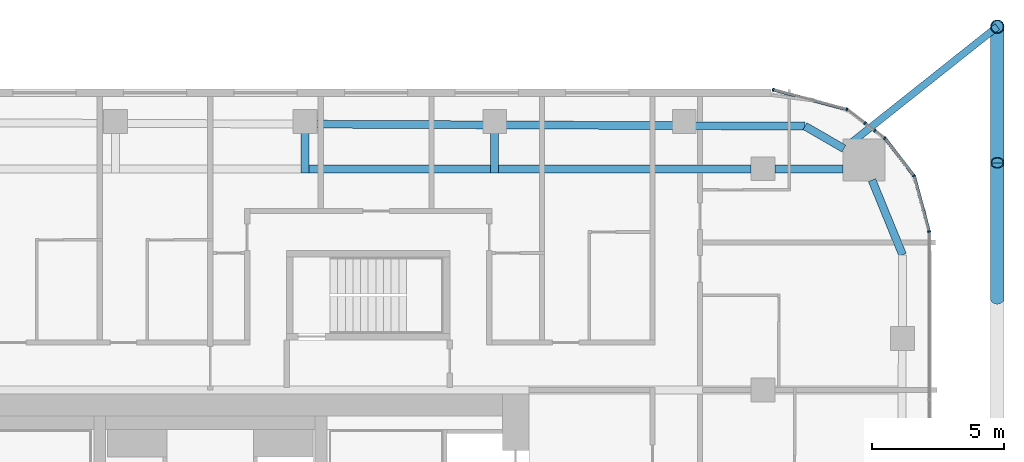
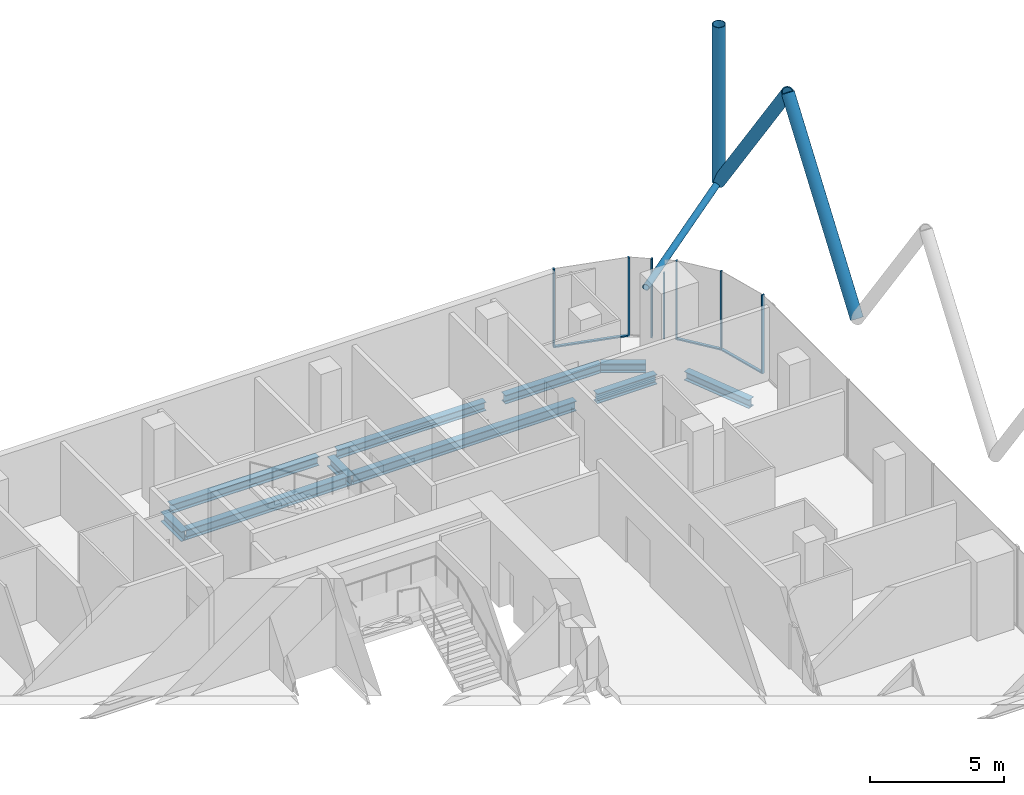
# One storey, part 14 of 33: 14 members, 10 beams, 6 elements without a shape of their own.
"""IFC4 building model written with IfcOpenShell, lengths in metres."""

from ifc_helpers import new_model, si_unit, direction, frame, origin, origin_2d, place, context, subcontext, project, spatial, rectangle, hollow_circle, i_section, extrude, material, layer, layer_set, material_profile, profile_set, type_object, element, aggregate, save


model = new_model("IFC4")

# Units and contexts
model_context = context("Model", 3, precision=1e-05, world=origin(), true_north=direction((0.0, 1.0)))
body_context = subcontext(model_context, "Body", "Model", "MODEL_VIEW")
ifc_project = project(units=[si_unit("LENGTHUNIT", "METRE"), si_unit("AREAUNIT", "SQUARE_METRE"), si_unit("VOLUMEUNIT", "CUBIC_METRE"), si_unit("PLANEANGLEUNIT", "RADIAN"), si_unit("MASSUNIT", "GRAM", prefix="KILO")], contexts=[model_context])

# Site, building, storey
site_placement = place(None, origin())
site = spatial("IfcSite", under=ifc_project, at=site_placement, CompositionType="ELEMENT")
building_placement = place(site_placement, origin())
building = spatial("IfcBuilding", under=site, at=building_placement, Name="Marenta Gate Hotel Tower", CompositionType="ELEMENT")
storey_placement = place(building_placement, frame((0.0, 0.0, 122.89990234375)))
storey = spatial("IfcBuildingStorey", under=building, at=storey_placement, Name="L27", CompositionType="ELEMENT", Elevation=122.89990234375)

# Members
ifc_material_1 = material(Name="Steel S355J2W", Category="steel")
ifc_material_profile_1 = material_profile(ifc_material_1, hollow_circle(Radius=0.25390625, WallThickness=0.02490234375, at=origin_2d()), Name="CHS 508x25")
ifc_profile_set_1 = profile_set([ifc_material_profile_1], Name="Steel S355J2W")
member_type_1 = type_object("IfcMemberType", Name="Diagrid corner post Z2 CHS 508x25", PredefinedType="POST", material=ifc_profile_set_1)
member_1_placement = place(storey_placement, frame((29.89990234375, 30.60009765625, 3.14013671875), z_axis=(0.0, 0.0, 1.0), x_axis=(1.0, 0.0, 0.0)))
element("IfcMember", 1, at=member_1_placement, inside=storey, type_object=member_type_1, Name="L27-DR-1", PredefinedType="POST", context=body_context, shape_type="SweptSolid", body=[
    extrude(hollow_circle(Radius=0.25390625, WallThickness=0.02490234375, at=origin_2d()), origin(), (0.0, 0.0, 1.0), 7.199951171875),
])
ifc_material_2 = material(Name="Steel S355J2W", Category="steel")
ifc_material_profile_2 = material_profile(ifc_material_2, hollow_circle(Radius=0.25390625, WallThickness=0.0400390625, at=origin_2d()), Name="CHS 508x40")
ifc_profile_set_2 = profile_set([ifc_material_profile_2], Name="Steel S355J2W")
member_type_2 = type_object("IfcMemberType", Name="Diagrid diagonal Z2 CHS 508x40", PredefinedType="BRACE", material=ifc_profile_set_2)
member_2_placement = place(storey_placement, frame((29.89990234375, 30.60009765625, 3.14013671875), z_axis=(0.0, -0.583279014058, 0.812271870595), x_axis=(1.0, 0.0, 0.0)))
element("IfcMember", 2, at=member_2_placement, inside=storey, type_object=member_type_2, Name="L27-DG-1", PredefinedType="BRACE", context=body_context, shape_type="SweptSolid", body=[
    extrude(hollow_circle(Radius=0.25390625, WallThickness=0.0400390625, at=origin_2d()), origin(), (0.0, 0.0, 1.0), 8.864013671875),
])
member_3_placement = place(storey_placement, frame((29.89990234375, 20.260009765625, 3.14013671875), z_axis=(0.0, 0.583260841117, 0.812284919975), x_axis=(-1.0, 0.0, 0.0)))
element("IfcMember", 3, at=member_3_placement, inside=storey, type_object=member_type_2, Name="L27-DG-2", PredefinedType="BRACE", context=body_context, shape_type="SweptSolid", body=[
    extrude(hollow_circle(Radius=0.25390625, WallThickness=0.0400390625, at=origin_2d()), origin(), (0.0, 0.0, 1.0), 8.86376953125),
])

# Beams
ifc_material_3 = material(Name="Steel S355", Category="steel")
ifc_material_profile_3 = material_profile(ifc_material_3, i_section(OverallWidth=0.300048828125, OverallDepth=0.39990234375, WebThickness=0.013427734375, FlangeThickness=0.02392578125, FilletRadius=0.027099609375, at=origin_2d()), Name="HEB 400")
ifc_profile_set_3 = profile_set([ifc_material_profile_3], Name="Steel S355")
beam_type_1 = type_object("IfcBeamType", Name="Edge beam HEB 400", PredefinedType="SPANDREL", material=ifc_profile_set_3)
beam_1_placement = place(storey_placement, frame((4.011474609375, 26.89697265625, -0.4599609375), z_axis=(0.999991780119, -0.004054589324, 0.0), x_axis=(0.004054589324, 0.999991780119, 0.0)))
element("IfcBeam", 4, at=beam_1_placement, inside=storey, type_object=beam_type_1, Name="L27-EB-17", PredefinedType="SPANDREL", context=body_context, shape_type="SweptSolid", body=[
    extrude(i_section(OverallWidth=0.300048828125, OverallDepth=0.39990234375, WebThickness=0.013427734375, FlangeThickness=0.02392578125, FilletRadius=0.027099609375, at=origin_2d()), origin(), (0.0, 0.0, 1.0), 6.382568359375),
])
beam_2_placement = place(storey_placement, frame((11.214111328125, 26.86767578125, -0.4599609375), z_axis=(0.999991780748, -0.00405443424, 0.0), x_axis=(0.00405443424, 0.999991780748, 0.0)))
element("IfcBeam", 5, at=beam_2_placement, inside=storey, type_object=beam_type_1, Name="L27-EB-18", PredefinedType="SPANDREL", context=body_context, shape_type="SweptSolid", body=[
    extrude(i_section(OverallWidth=0.300048828125, OverallDepth=0.39990234375, WebThickness=0.013427734375, FlangeThickness=0.02392578125, FilletRadius=0.027099609375, at=origin_2d()), origin(), (0.0, 0.0, 1.0), 6.3828125),
])
beam_3_placement = place(storey_placement, frame((18.4169921875, 26.83837890625, -0.4599609375), z_axis=(0.999991621459, -0.004093532953, 0.0), x_axis=(0.004093532953, 0.999991621459, 0.0)))
element("IfcBeam", 6, at=beam_3_placement, inside=storey, type_object=beam_type_1, Name="L27-EB-19", PredefinedType="SPANDREL", context=body_context, shape_type="SweptSolid", body=[
    extrude(i_section(OverallWidth=0.300048828125, OverallDepth=0.39990234375, WebThickness=0.013427734375, FlangeThickness=0.02392578125, FilletRadius=0.027099609375, at=origin_2d()), origin(), (0.0, 0.0, 1.0), 4.1748046875),
])
beam_4_placement = place(storey_placement, frame((22.591796875, 26.8212890625, -0.4599609375), z_axis=(0.866016478054, -0.500015459501, 0.0), x_axis=(0.500015459501, 0.866016478054, 0.0)))
element("IfcBeam", 7, at=beam_4_placement, inside=storey, type_object=beam_type_1, Name="L27-EB-20", PredefinedType="SPANDREL", context=body_context, shape_type="SweptSolid", body=[
    extrude(i_section(OverallWidth=0.300048828125, OverallDepth=0.39990234375, WebThickness=0.013427734375, FlangeThickness=0.02392578125, FilletRadius=0.027099609375, at=origin_2d()), origin(), (0.0, 0.0, 1.0), 1.70703125),
])
beam_5_placement = place(storey_placement, frame((25.138916015625, 24.7724609375, -0.4599609375), z_axis=(0.378682450416, -0.925526661824, 0.0), x_axis=(0.925526661824, 0.378682450416, 0.0)))
element("IfcBeam", 8, at=beam_5_placement, inside=storey, type_object=beam_type_1, Name="L27-EB-21", PredefinedType="SPANDREL", context=body_context, shape_type="SweptSolid", body=[
    extrude(i_section(OverallWidth=0.300048828125, OverallDepth=0.39990234375, WebThickness=0.013427734375, FlangeThickness=0.02392578125, FilletRadius=0.027099609375, at=origin_2d()), origin(), (0.0, 0.0, 1.0), 3.066162109375),
])

# Member
ifc_material_4 = material(Name="Steel S355J2W", Category="steel")
ifc_material_profile_4 = material_profile(ifc_material_4, hollow_circle(Radius=0.136474609375, WallThickness=0.012451171875, at=origin_2d()), Name="CHS 273x12.5")
ifc_profile_set_4 = profile_set([ifc_material_profile_4], Name="Steel S355J2W")
member_type_3 = type_object("IfcMemberType", Name="Floor tie CHS 273x12.5", PredefinedType="STRUT", material=ifc_profile_set_4)
member_4_placement = place(storey_placement, frame((29.89990234375, 30.60009765625, 3.14013671875), z_axis=(-0.782942525187, -0.622094046149, 0.0), x_axis=(0.622094046149, -0.782942525187, 0.0)))
element("IfcMember", 9, at=member_4_placement, inside=storey, type_object=member_type_3, Name="L27-DR-7", PredefinedType="STRUT", context=body_context, shape_type="SweptSolid", body=[
    extrude(hollow_circle(Radius=0.136474609375, WallThickness=0.012451171875, at=origin_2d()), origin(), (0.0, 0.0, 1.0), 7.43896484375),
])

# Beams
ifc_material_5 = material(Name="Steel S355", Category="steel")
ifc_material_profile_5 = material_profile(ifc_material_5, i_section(OverallWidth=0.300048828125, OverallDepth=0.449951171875, WebThickness=0.013916015625, FlangeThickness=0.02587890625, FilletRadius=0.027099609375, at=origin_2d()), Name="HEB 450")
ifc_profile_set_5 = profile_set([ifc_material_profile_5], Name="Steel S355")
beam_type_2 = type_object("IfcBeamType", Name="Girder HEB 450", PredefinedType="BEAM", material=ifc_profile_set_5)
beam_6_placement = place(storey_placement, frame((3.75146484375, 25.199951171875, -0.48486328125), z_axis=(1.0, 0.0, 0.0), x_axis=(0.0, 1.0, 0.0)))
element("IfcBeam", 10, at=beam_6_placement, inside=storey, type_object=beam_type_2, Name="L27-GD-33", PredefinedType="BEAM", context=body_context, shape_type="SweptSolid", body=[
    extrude(i_section(OverallWidth=0.300048828125, OverallDepth=0.449951171875, WebThickness=0.013916015625, FlangeThickness=0.02587890625, FilletRadius=0.027099609375, at=origin_2d()), origin(), (0.0, 0.0, 1.0), 6.902587890625),
])
beam_7_placement = place(storey_placement, frame((10.9541015625, 25.199951171875, -0.48486328125), z_axis=(1.0, 0.0, 0.0), x_axis=(0.0, 1.0, 0.0)))
element("IfcBeam", 11, at=beam_7_placement, inside=storey, type_object=beam_type_2, Name="L27-GD-34", PredefinedType="BEAM", context=body_context, shape_type="SweptSolid", body=[
    extrude(i_section(OverallWidth=0.300048828125, OverallDepth=0.449951171875, WebThickness=0.013916015625, FlangeThickness=0.02587890625, FilletRadius=0.027099609375, at=origin_2d()), origin(), (0.0, 0.0, 1.0), 9.595947265625),
])
beam_8_placement = place(storey_placement, frame((21.449951171875, 25.199951171875, -0.48486328125), z_axis=(1.0, 0.0, 0.0), x_axis=(0.0, 1.0, 0.0)))
element("IfcBeam", 12, at=beam_8_placement, inside=storey, type_object=beam_type_2, Name="L27-GD-35", PredefinedType="BEAM", context=body_context, shape_type="SweptSolid", body=[
    extrude(i_section(OverallWidth=0.300048828125, OverallDepth=0.449951171875, WebThickness=0.013916015625, FlangeThickness=0.02587890625, FilletRadius=0.027099609375, at=origin_2d()), origin(), (0.0, 0.0, 1.0), 2.58544921875),
])
ifc_material_6 = material(Name="Steel S355", Category="steel")
ifc_material_profile_6 = material_profile(ifc_material_6, i_section(OverallWidth=0.300048828125, OverallDepth=0.449951171875, WebThickness=0.013916015625, FlangeThickness=0.02587890625, FilletRadius=0.027099609375, at=origin_2d()), Name="HEB 450")
ifc_profile_set_6 = profile_set([ifc_material_profile_6], Name="Steel S355")
beam_type_3 = type_object("IfcBeamType", Name="Girder bracket HEB 450", PredefinedType="BEAM", material=ifc_profile_set_6)
for number, where, z_axis, x_axis, name in (
    (13, (3.601318359375, 25.050048828125, -0.48486328125), (0.0, 1.0, 0.0), (-1.0, 0.0, 0.0), "L27-GS-3"),
    (14, (10.80419921875, 25.050048828125, -0.48486328125), (0.0, 1.0, 0.0), (-1.0, 0.0, 0.0), "L27-GS-4"),
):
    element("IfcBeam", number, at=place(storey_placement, frame(where, z_axis=z_axis, x_axis=x_axis)), inside=storey, type_object=beam_type_3, Name=name, PredefinedType="BEAM", context=body_context, shape_type="SweptSolid", body=[
        extrude(i_section(OverallWidth=0.300048828125, OverallDepth=0.449951171875, WebThickness=0.013916015625, FlangeThickness=0.02587890625, FilletRadius=0.027099609375, at=origin_2d()), origin(), (0.0, 0.0, 1.0), 1.5400390625),
    ])

# Curtain wall, member
ifc_material_7 = material(Name="Tinted insulated glass in bronze anodised frame", Category="glass")
ifc_layer = layer(ifc_material_7, 0.1201171875)
ifc_layer_set = layer_set([ifc_layer], Name="Tinted insulated glass in bronze anodised frame")
curtain_wall_type = type_object("IfcCurtainWallType", Name="Tower unitised curtain wall CW1", PredefinedType="NOTDEFINED", material=ifc_layer_set)
curtain_wall_1_placement = place(storey_placement, origin())
curtain_wall_1 = element("IfcCurtainWall", 15, at=curtain_wall_1_placement, inside=storey, type_object=curtain_wall_type, Name="CW1 run G20", PredefinedType="NOTDEFINED")
ifc_material_8 = material(Name="Bronze anodised aluminium", Category="aluminium")
ifc_material_profile_7 = material_profile(ifc_material_8, rectangle(XDim=0.1201171875, YDim=0.06005859375, at=origin_2d()), Name="Mullion CW1 60x120 bronze anodised aluminium")
ifc_profile_set_7 = profile_set([ifc_material_profile_7], Name="Bronze anodised aluminium")
member_type_4 = type_object("IfcMemberType", Name="Mullion CW1 60x120 bronze anodised aluminium", PredefinedType="MULLION", material=ifc_profile_set_7)
member_5_placement = place(storey_placement, frame((27.30615234375, 22.82080078125, 0.0), z_axis=(0.0, 0.0, 1.0), x_axis=(-0.965924859908, -0.258822651658, 0.0)))
member_5 = element("IfcMember", 16, at=member_5_placement, type_object=member_type_4, Name="CW1 mullion 1", PredefinedType="MULLION", context=body_context, shape_type="SweptSolid", body=[
    extrude(rectangle(XDim=0.1201171875, YDim=0.06005859375, at=origin_2d()), origin(), (0.0, 0.0, 1.0), 3.60009765625),
])

curtain_wall_2_placement = place(storey_placement, origin())
curtain_wall_2 = element("IfcCurtainWall", 17, at=curtain_wall_2_placement, inside=storey, type_object=curtain_wall_type, Name="CW1 run G21", PredefinedType="NOTDEFINED")
member_6_placement = place(storey_placement, frame((26.727783203125, 24.93505859375, 0.0), z_axis=(0.0, 0.0, 1.0), x_axis=(-0.793326722289, -0.608796116694, 0.0)))
member_6 = element("IfcMember", 18, at=member_6_placement, type_object=member_type_4, Name="CW1 mullion 1", PredefinedType="MULLION", context=body_context, shape_type="SweptSolid", body=[
    extrude(rectangle(XDim=0.1201171875, YDim=0.06005859375, at=origin_2d()), origin(), (0.0, 0.0, 1.0), 3.60009765625),
])

curtain_wall_3_placement = place(storey_placement, origin())
curtain_wall_3 = element("IfcCurtainWall", 19, at=curtain_wall_3_placement, inside=storey, type_object=curtain_wall_type, Name="CW1 run G22", PredefinedType="NOTDEFINED")
member_7_placement = place(storey_placement, frame((25.62158203125, 26.36376953125, 0.0), z_axis=(0.0, 0.0, 1.0), x_axis=(-0.608778467767, -0.793340265701, 0.0)))
member_7 = element("IfcMember", 20, at=member_7_placement, type_object=member_type_4, Name="CW1 mullion 1", PredefinedType="MULLION", context=body_context, shape_type="SweptSolid", body=[
    extrude(rectangle(XDim=0.1201171875, YDim=0.06005859375, at=origin_2d()), origin(), (0.0, 0.0, 1.0), 3.60009765625),
])
aggregate(curtain_wall_3, [member_7])

curtain_wall_4_placement = place(storey_placement, origin())
curtain_wall_4 = element("IfcCurtainWall", 21, at=curtain_wall_4_placement, inside=storey, type_object=curtain_wall_type, Name="CW1 run G23", PredefinedType="NOTDEFINED")
member_8_placement = place(storey_placement, frame((25.247314453125, 26.651123046875, 0.0), z_axis=(0.0, 0.0, 1.0), x_axis=(-0.608737274752, -0.79337187392, 0.0)))
member_8 = element("IfcMember", 22, at=member_8_placement, type_object=member_type_4, Name="CW1 mullion 1", PredefinedType="MULLION", context=body_context, shape_type="SweptSolid", body=[
    extrude(rectangle(XDim=0.1201171875, YDim=0.06005859375, at=origin_2d()), origin(), (0.0, 0.0, 1.0), 3.00048828125),
])
aggregate(curtain_wall_4, [member_8])

curtain_wall_5_placement = place(storey_placement, origin())
curtain_wall_5 = element("IfcCurtainWall", 23, at=curtain_wall_5_placement, inside=storey, type_object=curtain_wall_type, Name="CW1 run G24", PredefinedType="NOTDEFINED")
member_9_placement = place(storey_placement, frame((24.876953125, 26.935302734375, 0.0), z_axis=(0.0, 0.0, 1.0), x_axis=(-0.608837310591, -0.793295108539, 0.0)))
member_9 = element("IfcMember", 24, at=member_9_placement, type_object=member_type_4, Name="CW1 mullion 1", PredefinedType="MULLION", context=body_context, shape_type="SweptSolid", body=[
    extrude(rectangle(XDim=0.1201171875, YDim=0.06005859375, at=origin_2d()), origin(), (0.0, 0.0, 1.0), 3.60009765625),
])
aggregate(curtain_wall_5, [member_9])

# Curtain wall, members
curtain_wall_6_placement = place(storey_placement, origin())
curtain_wall_6 = element("IfcCurtainWall", 25, at=curtain_wall_6_placement, inside=storey, type_object=curtain_wall_type, Name="CW1 run G25", PredefinedType="NOTDEFINED")
member_10_placement = place(storey_placement, frame((24.182373046875, 27.453857421875, 0.0), z_axis=(0.0, 0.0, 1.0), x_axis=(-0.258805989975, -0.965929324305, 0.0)))
member_10 = element("IfcMember", 26, at=member_10_placement, type_object=member_type_4, Name="CW1 mullion 1", PredefinedType="MULLION", context=body_context, shape_type="SweptSolid", body=[
    extrude(rectangle(XDim=0.1201171875, YDim=0.06005859375, at=origin_2d()), origin(), (0.0, 0.0, 1.0), 3.60009765625),
])
member_11_placement = place(storey_placement, frame((21.385498046875, 28.203125, 0.0), z_axis=(0.0, 0.0, 1.0), x_axis=(-0.258805989975, -0.965929324305, 0.0)))
member_11 = element("IfcMember", 27, at=member_11_placement, type_object=member_type_4, Name="CW1 mullion 2", PredefinedType="MULLION", context=body_context, shape_type="SweptSolid", body=[
    extrude(rectangle(XDim=0.1201171875, YDim=0.06005859375, at=origin_2d()), origin(), (0.0, 0.0, 1.0), 3.60009765625),
])

# Member
ifc_material_9 = material(Name="Bronze anodised aluminium", Category="aluminium")
ifc_material_profile_8 = material_profile(ifc_material_9, rectangle(XDim=0.1201171875, YDim=0.06005859375, at=origin_2d()), Name="Transom CW1 60x120 bronze anodised aluminium")
ifc_profile_set_8 = profile_set([ifc_material_profile_8], Name="Bronze anodised aluminium")
member_type_5 = type_object("IfcMemberType", Name="Transom CW1 60x120 bronze anodised aluminium", PredefinedType="USERDEFINED", material=ifc_profile_set_8)
member_12_placement = place(storey_placement, frame((27.298583984375, 22.849853515625, 0.030029296875), z_axis=(-0.258865686882, 0.965913327455, 0.0), x_axis=(-0.965913327455, -0.258865686882, 0.0)))
member_12 = element("IfcMember", 28, at=member_12_placement, type_object=member_type_5, Name="CW1 transom 1.1", ObjectType="TRANSOM", PredefinedType="USERDEFINED", context=body_context, shape_type="SweptSolid", body=[
    extrude(rectangle(XDim=0.1201171875, YDim=0.06005859375, at=origin_2d()), origin(), (0.0, 0.0, 1.0), 2.13427734375),
])

aggregate(curtain_wall_1, [member_5, member_12])

member_13_placement = place(storey_placement, frame((26.70947265625, 24.958984375, 0.030029296875), z_axis=(-0.608792205599, 0.793329723634, 0.0), x_axis=(-0.793329723634, -0.608792205599, 0.0)))
member_13 = element("IfcMember", 29, at=member_13_placement, type_object=member_type_5, Name="CW1 transom 1.1", ObjectType="TRANSOM", PredefinedType="USERDEFINED", context=body_context, shape_type="SweptSolid", body=[
    extrude(rectangle(XDim=0.1201171875, YDim=0.06005859375, at=origin_2d()), origin(), (0.0, 0.0, 1.0), 1.74755859375),
])

aggregate(curtain_wall_2, [member_6, member_13])

member_14_placement = place(storey_placement, frame((24.1533203125, 27.461669921875, 0.030029296875), z_axis=(-0.965922684272, 0.258830770986, 0.0), x_axis=(-0.258830770986, -0.965922684272, 0.0)))
member_14 = element("IfcMember", 30, at=member_14_placement, type_object=member_type_5, Name="CW1 transom 1.1", ObjectType="TRANSOM", PredefinedType="USERDEFINED", context=body_context, shape_type="SweptSolid", body=[
    extrude(rectangle(XDim=0.1201171875, YDim=0.06005859375, at=origin_2d()), origin(), (0.0, 0.0, 1.0), 2.83544921875),
])

aggregate(curtain_wall_6, [member_10, member_11, member_14])

save(model, "model.ifc")
